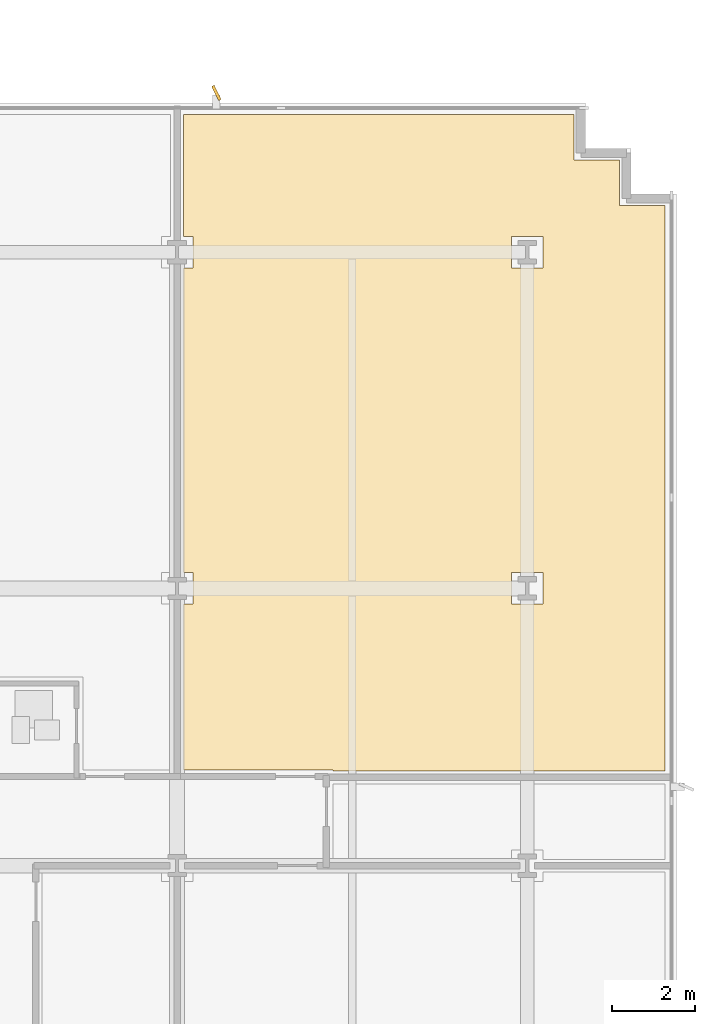
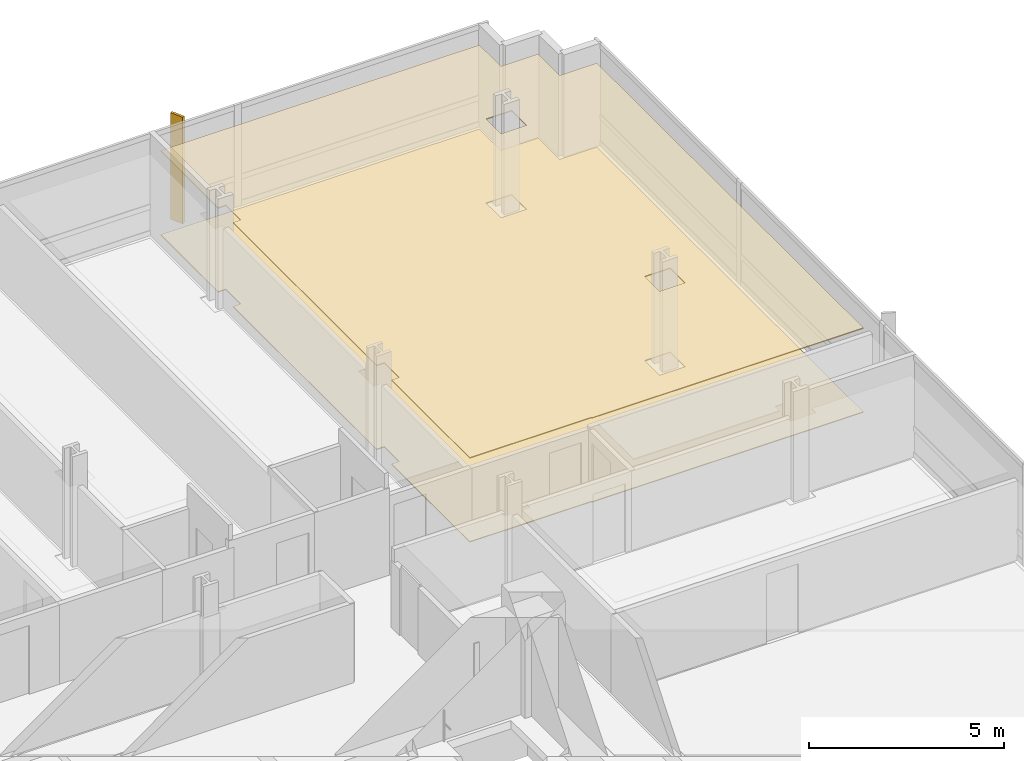
# One storey, part 15 of 16: 2 coverings, 1 shading device.
"""IFC4 building model written with IfcOpenShell, lengths in metres."""

from ifc_helpers import new_model, si_unit, direction, frame, origin, origin_2d, place, context, subcontext, project, spatial, polyline, rectangle, outline, extrude, material, layer, layer_set, type_object, element, save


model = new_model("IFC4")

# Units and contexts
model_context = context("Model", 3, precision=1e-05, world=origin(), true_north=direction((0.0, 1.0)))
body_context = subcontext(model_context, "Body", "Model", "MODEL_VIEW")
ifc_project = project(units=[si_unit("LENGTHUNIT", "METRE"), si_unit("AREAUNIT", "SQUARE_METRE"), si_unit("VOLUMEUNIT", "CUBIC_METRE"), si_unit("PLANEANGLEUNIT", "RADIAN"), si_unit("MASSUNIT", "GRAM", prefix="KILO")], contexts=[model_context])

# Site, building, storey
site_placement = place(None, origin())
site = spatial("IfcSite", under=ifc_project, at=site_placement, CompositionType="ELEMENT")
building_placement = place(site_placement, origin())
building = spatial("IfcBuilding", under=site, at=building_placement, Name="Solmavex Isthmus Hotel", CompositionType="ELEMENT")
storey_placement = place(building_placement, frame((0.0, 0.0, 67.800048828125)))
storey = spatial("IfcBuildingStorey", under=building, at=storey_placement, Name="L18", CompositionType="ELEMENT", Elevation=67.800048828125)

# Coverings
ifc_material_1 = material(Name="Gypsum plasterboard lining", Category="gypsum")
ifc_layer_1 = layer(ifc_material_1, 0.030029296875)
ifc_layer_set_1 = layer_set([ifc_layer_1], Name="Gypsum plasterboard lining")
covering_type_1 = type_object("IfcCoveringType", Name="COV-CEIL-GYP", PredefinedType="CEILING", material=ifc_layer_set_1)
covering_1_placement = place(storey_placement, frame((0.0, 0.0, 2.619873046875)))
element("IfcCovering", 1, at=covering_1_placement, inside=storey, type_object=covering_type_1, Name="Suspended Acoustic Ceiling L18-RM08", PredefinedType="CEILING", context=body_context, shape_type="SweptSolid", body=[
    extrude(outline(polyline([(18.10693359375, 9.16796875), (18.33203125, 9.16796875), (18.33203125, 8.407958984375), (18.10693359375, 8.407958984375), (18.10693359375, 4.405029296875), (21.70703125, 4.405029296875), (21.70703125, 4.385009765625), (29.72509765625, 4.385009765625), (29.72509765625, 18.02490234375), (28.625, 18.02490234375), (28.625, 19.125), (27.52490234375, 19.125), (27.52490234375, 20.22509765625), (18.10693359375, 20.22509765625), (18.10693359375, 17.280029296875), (18.33203125, 17.280029296875), (18.33203125, 16.52001953125), (18.10693359375, 16.52001953125), (18.10693359375, 9.16796875)]), holes=[polyline([(26.02001953125, 8.407958984375), (26.02001953125, 9.16796875), (26.780029296875, 9.16796875), (26.780029296875, 8.407958984375), (26.02001953125, 8.407958984375)]), polyline([(26.02001953125, 16.52001953125), (26.02001953125, 17.280029296875), (26.780029296875, 17.280029296875), (26.780029296875, 16.52001953125), (26.02001953125, 16.52001953125)])]), origin(), (0.0, 0.0, 1.0), 0.030029296875),
])
ifc_material_2 = material(Name="Travertine natural stone", Category="masonry")
ifc_layer_2 = layer(ifc_material_2, 0.02490234375)
ifc_layer_set_2 = layer_set([ifc_layer_2], Name="Travertine natural stone")
covering_type_2 = type_object("IfcCoveringType", Name="COV-FLOR-STN", PredefinedType="FLOORING", material=ifc_layer_set_2)
covering_2_placement = place(storey_placement, origin())
element("IfcCovering", 2, at=covering_2_placement, inside=storey, type_object=covering_type_2, Name="Stone and Timber Floor Finish L18-RM08", PredefinedType="FLOORING", context=body_context, shape_type="SweptSolid", body=[
    extrude(outline(polyline([(18.10693359375, 9.16796875), (18.33203125, 9.16796875), (18.33203125, 8.407958984375), (18.10693359375, 8.407958984375), (18.10693359375, 4.405029296875), (21.70703125, 4.405029296875), (21.70703125, 4.385009765625), (29.72509765625, 4.385009765625), (29.72509765625, 18.02490234375), (28.625, 18.02490234375), (28.625, 19.125), (27.52490234375, 19.125), (27.52490234375, 20.22509765625), (18.10693359375, 20.22509765625), (18.10693359375, 17.280029296875), (18.33203125, 17.280029296875), (18.33203125, 16.52001953125), (18.10693359375, 16.52001953125), (18.10693359375, 9.16796875)]), holes=[polyline([(26.02001953125, 8.407958984375), (26.02001953125, 9.16796875), (26.780029296875, 9.16796875), (26.780029296875, 8.407958984375), (26.02001953125, 8.407958984375)]), polyline([(26.02001953125, 16.52001953125), (26.02001953125, 17.280029296875), (26.780029296875, 17.280029296875), (26.780029296875, 16.52001953125), (26.02001953125, 16.52001953125)])]), origin(), (0.0, 0.0, 1.0), 0.02490234375),
])

# Shading device
ifc_material_3 = material(Name="Aluminium alloy 6063-T6", Category="aluminium")
shading_device_type = type_object("IfcShadingDeviceType", Name="SHD-FIN-CHAMP", PredefinedType="USERDEFINED", material=ifc_material_3)
shading_device_placement = place(storey_placement, frame((18.89990234375, 20.739990234375, -0.14013671875), z_axis=(0.0, 0.0, 1.0), x_axis=(-0.438371146789, 0.898794046299, 0.0)))
element("IfcShadingDevice", 3, at=shading_device_placement, inside=storey, type_object=shading_device_type, Name="Anodised Aluminium Solar Fin L18-N5", ObjectType="SOLAR_FIN", PredefinedType="USERDEFINED", context=body_context, shape_type="SweptSolid", body=[
    extrude(rectangle(XDim=0.3798828125, YDim=0.070068359375, at=origin_2d()), origin(), (0.0, 0.0, 1.0), 3.330078125),
])

save(model, "model.ifc")
